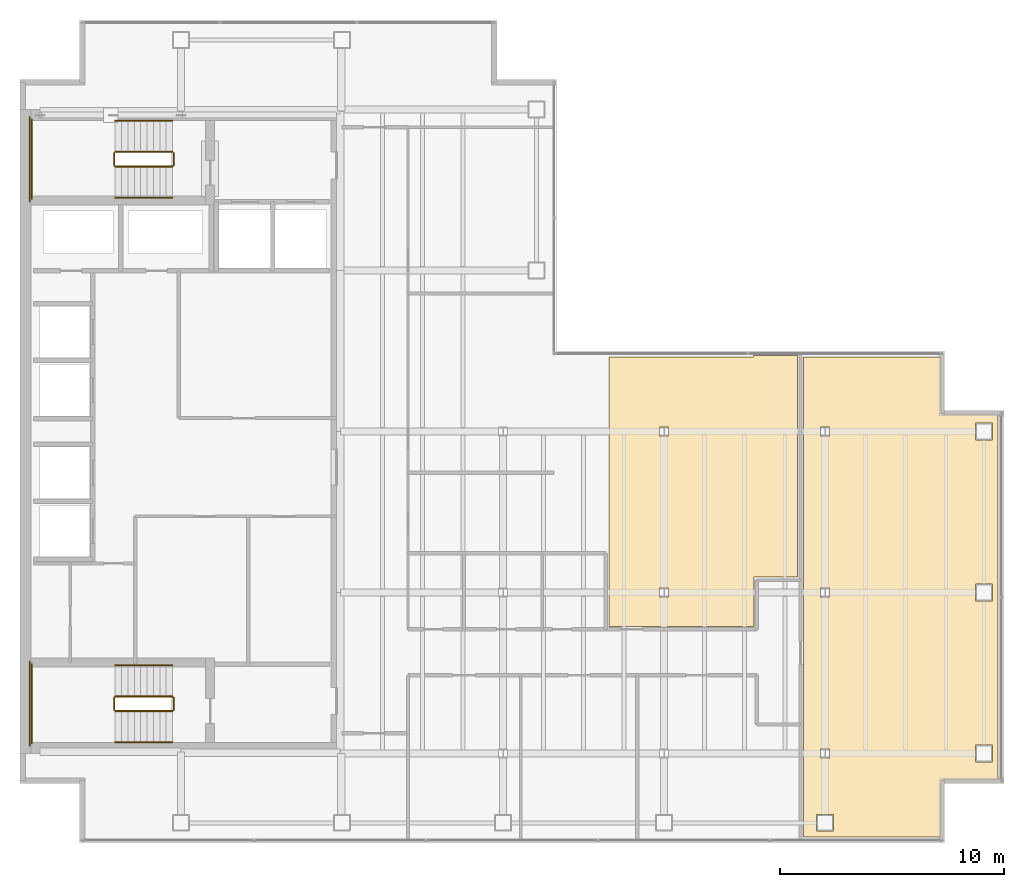
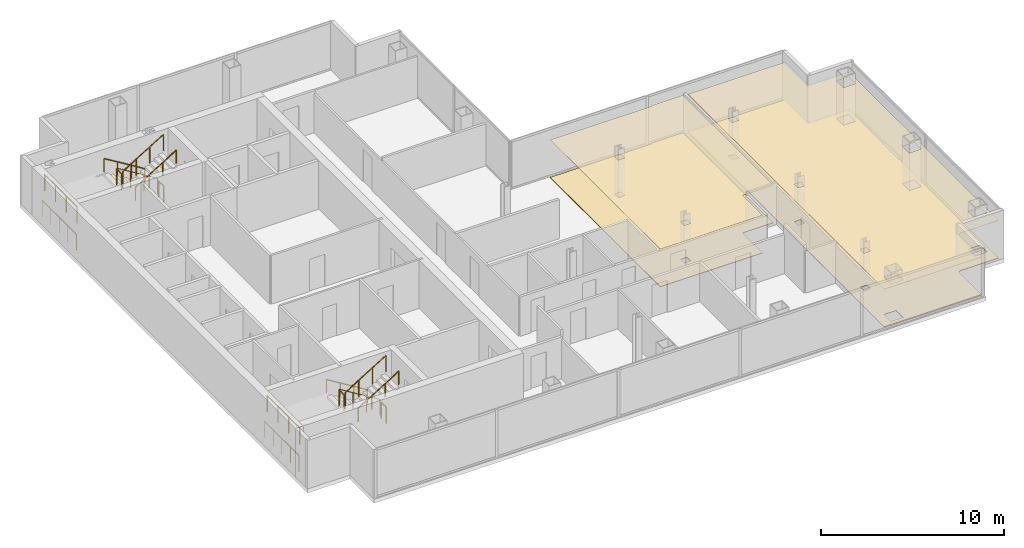
# One storey, part 23 of 23: 16 railings, 4 coverings.
"""IFC4 building model written with IfcOpenShell, lengths in metres."""

from ifc_helpers import new_model, si_unit, direction, frame, origin, origin_2d, place, context, subcontext, project, spatial, polyline, circle, outline, extrude, material, layer, layer_set, type_object, element, save


model = new_model("IFC4")

# Units and contexts
model_context = context("Model", 3, precision=1e-05, world=origin(), true_north=direction((0.0, 1.0)))
body_context = subcontext(model_context, "Body", "Model", "MODEL_VIEW")
ifc_project = project(units=[si_unit("LENGTHUNIT", "METRE"), si_unit("AREAUNIT", "SQUARE_METRE"), si_unit("VOLUMEUNIT", "CUBIC_METRE"), si_unit("PLANEANGLEUNIT", "RADIAN"), si_unit("MASSUNIT", "GRAM", prefix="KILO")], contexts=[model_context])

# Site, building, storey
site_placement = place(None, origin())
site = spatial("IfcSite", under=ifc_project, at=site_placement, CompositionType="ELEMENT")
building_placement = place(site_placement, origin())
building = spatial("IfcBuilding", under=site, at=building_placement, Name="Cobrela Telecom Tower", CompositionType="ELEMENT")
storey_placement = place(building_placement, frame((0.0, 0.0, 218.75)))
storey = spatial("IfcBuildingStorey", under=building, at=storey_placement, Name="L56", CompositionType="ELEMENT", Elevation=218.75)

# Coverings
ifc_material_1 = material(Name="Mineral Fibre Acoustic Ceiling Tile")
ifc_layer_1 = layer(ifc_material_1, 0.02490234375)
ifc_layer_set_1 = layer_set([ifc_layer_1], Name="Mineral Fibre Acoustic Ceiling Tile")
covering_type_1 = type_object("IfcCoveringType", Name="COV-CEIL-ACT", PredefinedType="CEILING", material=ifc_layer_set_1)
covering_1_placement = place(storey_placement, frame((0.0, 0.0, 2.52001953125)))
element("IfcCovering", 1, at=covering_1_placement, inside=storey, type_object=covering_type_1, Name="L56 Systems Engineering Studio 9 Suspended Acoustic Ceiling", PredefinedType="CEILING", context=body_context, shape_type="SweptSolid", body=[
    extrude(outline(polyline([(41.302734375, 6.00732421875), (41.289306640625, 6.00390625), (41.2763671875, 5.99951171875), (41.263916015625, 5.993408203125), (41.252197265625, 5.986328125), (41.2412109375, 5.978271484375), (41.23095703125, 5.968994140625), (41.2216796875, 5.958740234375), (41.213623046875, 5.947998046875), (41.20654296875, 5.93603515625), (41.20068359375, 5.923583984375), (41.196044921875, 5.91064453125), (41.192626953125, 5.897216796875), (41.190673828125, 5.8837890625), (41.18994140625, 5.87109375), (41.18994140625, 3.4599609375), (35.0400390625, 3.4599609375), (35.0400390625, 24.93994140625), (41.18994140625, 24.93994140625), (41.18994140625, 22.529052734375), (41.190673828125, 22.516357421875), (41.192626953125, 22.502685546875), (41.196044921875, 22.489501953125), (41.20068359375, 22.476318359375), (41.20654296875, 22.464111328125), (41.213623046875, 22.4521484375), (41.2216796875, 22.441162109375), (41.23095703125, 22.430908203125), (41.2412109375, 22.421630859375), (41.252197265625, 22.41357421875), (41.263916015625, 22.406494140625), (41.2763671875, 22.400634765625), (41.289306640625, 22.39599609375), (41.302734375, 22.392578125), (41.31640625, 22.390625), (41.3291015625, 22.389892578125), (43.739990234375, 22.389892578125), (43.739990234375, 6.010009765625), (41.3291015625, 6.010009765625), (41.31640625, 6.009521484375), (41.302734375, 6.00732421875)]), holes=[polyline([(36.375, 4.47509765625), (35.625, 4.47509765625), (35.625, 3.72509765625), (36.375, 3.72509765625), (36.375, 4.47509765625)]), polyline([(36.199462890625, 7.0029296875), (36.199462890625, 7.39697265625), (35.800537109375, 7.39697265625), (35.800537109375, 7.0029296875), (36.199462890625, 7.0029296875)]), polyline([(43.47509765625, 6.824951171875), (43.47509765625, 7.574951171875), (42.72509765625, 7.574951171875), (42.72509765625, 6.824951171875), (43.47509765625, 6.824951171875)]), polyline([(36.199462890625, 14.202880859375), (36.199462890625, 14.596923828125), (35.800537109375, 14.596923828125), (35.800537109375, 14.202880859375), (36.199462890625, 14.202880859375)]), polyline([(43.47509765625, 14.02490234375), (43.47509765625, 14.77490234375), (42.72509765625, 14.77490234375), (42.72509765625, 14.02490234375), (43.47509765625, 14.02490234375)]), polyline([(36.199462890625, 21.403076171875), (36.199462890625, 21.797119140625), (35.800537109375, 21.797119140625), (35.800537109375, 21.403076171875), (36.199462890625, 21.403076171875)]), polyline([(43.47509765625, 21.22509765625), (43.47509765625, 21.97509765625), (42.72509765625, 21.97509765625), (42.72509765625, 21.22509765625), (43.47509765625, 21.22509765625)])]), origin(), (0.0, 0.0, 1.0), 0.02490234375),
])
covering_2_placement = place(storey_placement, frame((0.0, 0.0, 2.52001953125)))
element("IfcCovering", 2, at=covering_2_placement, inside=storey, type_object=covering_type_1, Name="L56 Security Control Room 4 Suspended Acoustic Ceiling", PredefinedType="CEILING", context=body_context, shape_type="SweptSolid", body=[
    extrude(outline(polyline([(34.760009765625, 15.090087890625), (32.81005859375, 15.090087890625), (32.81005859375, 12.889892578125), (26.340087890625, 12.889892578125), (26.340087890625, 24.93994140625), (32.7900390625, 24.93994140625), (32.7900390625, 25.0), (34.760009765625, 25.0), (34.760009765625, 15.090087890625)]), holes=[polyline([(28.99951171875, 14.596923828125), (28.6005859375, 14.596923828125), (28.6005859375, 14.202880859375), (28.99951171875, 14.202880859375), (28.99951171875, 14.596923828125)]), polyline([(28.99951171875, 21.797119140625), (28.6005859375, 21.797119140625), (28.6005859375, 21.403076171875), (28.99951171875, 21.403076171875), (28.99951171875, 21.797119140625)])]), origin(), (0.0, 0.0, 1.0), 0.02490234375),
])
ifc_material_2 = material(Name="Honed Colombian Basalt Stone", Category="masonry")
ifc_layer_2 = layer(ifc_material_2, 0.0400390625)
ifc_layer_set_2 = layer_set([ifc_layer_2], Name="Honed Colombian Basalt Stone")
covering_type_2 = type_object("IfcCoveringType", Name="COV-FLR-STONE", PredefinedType="FLOORING", material=ifc_layer_set_2)
covering_3_placement = place(storey_placement, origin())
element("IfcCovering", 3, at=covering_3_placement, inside=storey, type_object=covering_type_2, Name="L56 Systems Engineering Studio 9 Raised Technical Flooring", PredefinedType="FLOORING", context=body_context, shape_type="SweptSolid", body=[
    extrude(outline(polyline([(41.302734375, 6.00732421875), (41.289306640625, 6.00390625), (41.2763671875, 5.99951171875), (41.263916015625, 5.993408203125), (41.252197265625, 5.986328125), (41.2412109375, 5.978271484375), (41.23095703125, 5.968994140625), (41.2216796875, 5.958740234375), (41.213623046875, 5.947998046875), (41.20654296875, 5.93603515625), (41.20068359375, 5.923583984375), (41.196044921875, 5.91064453125), (41.192626953125, 5.897216796875), (41.190673828125, 5.8837890625), (41.18994140625, 5.87109375), (41.18994140625, 3.4599609375), (35.0400390625, 3.4599609375), (35.0400390625, 24.93994140625), (41.18994140625, 24.93994140625), (41.18994140625, 22.529052734375), (41.190673828125, 22.516357421875), (41.192626953125, 22.502685546875), (41.196044921875, 22.489501953125), (41.20068359375, 22.476318359375), (41.20654296875, 22.464111328125), (41.213623046875, 22.4521484375), (41.2216796875, 22.441162109375), (41.23095703125, 22.430908203125), (41.2412109375, 22.421630859375), (41.252197265625, 22.41357421875), (41.263916015625, 22.406494140625), (41.2763671875, 22.400634765625), (41.289306640625, 22.39599609375), (41.302734375, 22.392578125), (41.31640625, 22.390625), (41.3291015625, 22.389892578125), (43.739990234375, 22.389892578125), (43.739990234375, 6.010009765625), (41.3291015625, 6.010009765625), (41.31640625, 6.009521484375), (41.302734375, 6.00732421875)]), holes=[polyline([(36.375, 4.47509765625), (35.625, 4.47509765625), (35.625, 3.72509765625), (36.375, 3.72509765625), (36.375, 4.47509765625)]), polyline([(36.199462890625, 7.0029296875), (36.199462890625, 7.39697265625), (35.800537109375, 7.39697265625), (35.800537109375, 7.0029296875), (36.199462890625, 7.0029296875)]), polyline([(43.47509765625, 6.824951171875), (43.47509765625, 7.574951171875), (42.72509765625, 7.574951171875), (42.72509765625, 6.824951171875), (43.47509765625, 6.824951171875)]), polyline([(36.199462890625, 14.202880859375), (36.199462890625, 14.596923828125), (35.800537109375, 14.596923828125), (35.800537109375, 14.202880859375), (36.199462890625, 14.202880859375)]), polyline([(43.47509765625, 14.02490234375), (43.47509765625, 14.77490234375), (42.72509765625, 14.77490234375), (42.72509765625, 14.02490234375), (43.47509765625, 14.02490234375)]), polyline([(36.199462890625, 21.403076171875), (36.199462890625, 21.797119140625), (35.800537109375, 21.797119140625), (35.800537109375, 21.403076171875), (36.199462890625, 21.403076171875)]), polyline([(43.47509765625, 21.22509765625), (43.47509765625, 21.97509765625), (42.72509765625, 21.97509765625), (42.72509765625, 21.22509765625), (43.47509765625, 21.22509765625)])]), origin(), (0.0, 0.0, 1.0), 0.0400390625),
])
covering_4_placement = place(storey_placement, origin())
element("IfcCovering", 4, at=covering_4_placement, inside=storey, type_object=covering_type_2, Name="L56 Security Control Room 4 Raised Technical Flooring", PredefinedType="FLOORING", context=body_context, shape_type="SweptSolid", body=[
    extrude(outline(polyline([(34.760009765625, 15.090087890625), (32.81005859375, 15.090087890625), (32.81005859375, 12.889892578125), (26.340087890625, 12.889892578125), (26.340087890625, 24.93994140625), (32.7900390625, 24.93994140625), (32.7900390625, 25.0), (34.760009765625, 25.0), (34.760009765625, 15.090087890625)]), holes=[polyline([(28.99951171875, 14.596923828125), (28.6005859375, 14.596923828125), (28.6005859375, 14.202880859375), (28.99951171875, 14.202880859375), (28.99951171875, 14.596923828125)]), polyline([(28.99951171875, 21.797119140625), (28.6005859375, 21.797119140625), (28.6005859375, 21.403076171875), (28.99951171875, 21.403076171875), (28.99951171875, 21.797119140625)])]), origin(), (0.0, 0.0, 1.0), 0.0400390625),
])

# Railings
ifc_material_3 = material(Name="Steel ASTM A36", Category="steel")
railing_type_1 = type_object("IfcRailingType", Name="RAIL-GUARD-1100", PredefinedType="GUARDRAIL", material=ifc_material_3)
railing_1_placement = place(storey_placement, frame((6.820068359375, 34.10009765625, 0.175048828125)))
element("IfcRailing", 5, at=railing_1_placement, inside=storey, type_object=railing_type_1, Name="L56 ST1 stair guard 1", PredefinedType="GUARDRAIL", context=body_context, shape_type="SweptSolid", body=[
    extrude(circle(Radius=0.02392578125, at=origin_2d()), frame((0.0, 0.0, 1.076171875), z_axis=(-0.852195335862, 0.0, 0.523223766217), x_axis=(0.0, -1.0, 0.0)), (0.0, 0.0, 1.0), 3.010009765625),
    extrude(circle(Radius=0.02099609375, at=origin_2d()), origin(), (0.0, 0.0, 1.0), 1.052001953125),
    extrude(circle(Radius=0.02099609375, at=origin_2d()), frame((-0.85498046875, 0.0, 0.52490234375)), (0.0, 0.0, 1.0), 1.052001953125),
    extrude(circle(Radius=0.02099609375, at=origin_2d()), frame((-1.710205078125, 0.0, 1.050048828125)), (0.0, 0.0, 1.0), 1.052001953125),
    extrude(circle(Radius=0.02099609375, at=origin_2d()), frame((-2.565185546875, 0.0, 1.574951171875)), (0.0, 0.0, 1.0), 1.052001953125),
])
railing_2_placement = place(storey_placement, frame((4.205078125, 34.050048828125, 1.75)))
element("IfcRailing", 6, at=railing_2_placement, inside=storey, type_object=railing_type_1, Name="L56 ST1 stair guard 2", PredefinedType="GUARDRAIL", context=body_context, shape_type="SweptSolid", body=[
    extrude(circle(Radius=0.02392578125, at=origin_2d()), frame((0.0, 0.0, 1.076171875), z_axis=(0.0, -1.0, 0.0), x_axis=(1.0, 0.0, 0.0)), (0.0, 0.0, 1.0), 0.550048828125),
    extrude(circle(Radius=0.02099609375, at=origin_2d()), origin(), (0.0, 0.0, 1.0), 1.052001953125),
    extrude(circle(Radius=0.02099609375, at=origin_2d()), frame((0.0, -0.550048828125, 0.0)), (0.0, 0.0, 1.0), 1.052001953125),
])
railing_3_placement = place(storey_placement, frame((0.530029296875, 35.550048828125, 1.75)))
element("IfcRailing", 7, at=railing_3_placement, inside=storey, type_object=railing_type_1, Name="L56 ST1 stair guard 3", PredefinedType="GUARDRAIL", context=body_context, shape_type="SweptSolid", body=[
    extrude(circle(Radius=0.02392578125, at=origin_2d()), frame((0.0, 0.0, 1.076171875), z_axis=(0.0, -1.0, 0.0), x_axis=(1.0, 0.0, 0.0)), (0.0, 0.0, 1.0), 3.550048828125),
    extrude(circle(Radius=0.02099609375, at=origin_2d()), origin(), (0.0, 0.0, 1.0), 1.052001953125),
    extrude(circle(Radius=0.02099609375, at=origin_2d()), frame((0.0, -1.183349609375, 0.0)), (0.0, 0.0, 1.0), 1.052001953125),
    extrude(circle(Radius=0.02099609375, at=origin_2d()), frame((0.0, -2.36669921875, 0.0)), (0.0, 0.0, 1.0), 1.052001953125),
    extrude(circle(Radius=0.02099609375, at=origin_2d()), frame((0.0, -3.550048828125, 0.0)), (0.0, 0.0, 1.0), 1.052001953125),
])
railing_4_placement = place(storey_placement, frame((4.2548828125, 33.449951171875, 1.925048828125)))
element("IfcRailing", 8, at=railing_4_placement, inside=storey, type_object=railing_type_1, Name="L56 ST1 stair guard 4", PredefinedType="GUARDRAIL", context=body_context, shape_type="SweptSolid", body=[
    extrude(circle(Radius=0.02392578125, at=origin_2d()), frame((0.0, 0.0, 1.076171875), z_axis=(0.852195335862, 0.0, 0.523223766217), x_axis=(0.0, 1.0, 0.0)), (0.0, 0.0, 1.0), 3.010009765625),
    extrude(circle(Radius=0.02099609375, at=origin_2d()), origin(), (0.0, 0.0, 1.0), 1.052001953125),
    extrude(circle(Radius=0.02099609375, at=origin_2d()), frame((0.85498046875, 0.0, 0.52490234375)), (0.0, 0.0, 1.0), 1.052001953125),
    extrude(circle(Radius=0.02099609375, at=origin_2d()), frame((1.710205078125, 0.0, 1.050048828125)), (0.0, 0.0, 1.0), 1.052001953125),
    extrude(circle(Radius=0.02099609375, at=origin_2d()), frame((2.565185546875, 0.0, 1.574951171875)), (0.0, 0.0, 1.0), 1.052001953125),
])
railing_5_placement = place(storey_placement, frame((6.8701171875, 34.050048828125, 0.0)))
element("IfcRailing", 9, at=railing_5_placement, inside=storey, type_object=railing_type_1, Name="L56 ST1 stair guard 5", PredefinedType="GUARDRAIL", context=body_context, shape_type="SweptSolid", body=[
    extrude(circle(Radius=0.02392578125, at=origin_2d()), frame((0.0, 0.0, 1.076171875), z_axis=(0.0, -1.0, 0.0), x_axis=(1.0, 0.0, 0.0)), (0.0, 0.0, 1.0), 0.550048828125),
    extrude(circle(Radius=0.02099609375, at=origin_2d()), origin(), (0.0, 0.0, 1.0), 1.052001953125),
    extrude(circle(Radius=0.02099609375, at=origin_2d()), frame((0.0, -0.550048828125, 0.0)), (0.0, 0.0, 1.0), 1.052001953125),
])
railing_6_placement = place(storey_placement, frame((0.429931640625, 35.64990234375, 0.0)))
element("IfcRailing", 10, at=railing_6_placement, inside=storey, type_object=railing_type_1, Name="L56 ST1 stair guard 6", PredefinedType="GUARDRAIL", context=body_context, shape_type="SweptSolid", body=[
    extrude(circle(Radius=0.02392578125, at=origin_2d()), frame((0.0, 0.0, 1.076171875), z_axis=(0.0, -1.0, 0.0), x_axis=(1.0, 0.0, 0.0)), (0.0, 0.0, 1.0), 3.75),
    extrude(circle(Radius=0.02099609375, at=origin_2d()), origin(), (0.0, 0.0, 1.0), 1.052001953125),
    extrude(circle(Radius=0.02099609375, at=origin_2d()), frame((0.0, -0.9375, 0.0)), (0.0, 0.0, 1.0), 1.052001953125),
    extrude(circle(Radius=0.02099609375, at=origin_2d()), frame((0.0, -1.875, 0.0)), (0.0, 0.0, 1.0), 1.052001953125),
    extrude(circle(Radius=0.02099609375, at=origin_2d()), frame((0.0, -2.8125, 0.0)), (0.0, 0.0, 1.0), 1.052001953125),
    extrude(circle(Radius=0.02099609375, at=origin_2d()), frame((0.0, -3.75, 0.0)), (0.0, 0.0, 1.0), 1.052001953125),
])
railing_7_placement = place(storey_placement, frame((6.820068359375, 9.75, 0.175048828125)))
element("IfcRailing", 11, at=railing_7_placement, inside=storey, type_object=railing_type_1, Name="L56 ST2 stair guard 1", PredefinedType="GUARDRAIL", context=body_context, shape_type="SweptSolid", body=[
    extrude(circle(Radius=0.02392578125, at=origin_2d()), frame((0.0, 0.0, 1.076171875), z_axis=(-0.852195335862, 0.0, 0.523223766217), x_axis=(0.0, -1.0, 0.0)), (0.0, 0.0, 1.0), 3.010009765625),
    extrude(circle(Radius=0.02099609375, at=origin_2d()), origin(), (0.0, 0.0, 1.0), 1.052001953125),
    extrude(circle(Radius=0.02099609375, at=origin_2d()), frame((-0.85498046875, 0.0, 0.52490234375)), (0.0, 0.0, 1.0), 1.052001953125),
    extrude(circle(Radius=0.02099609375, at=origin_2d()), frame((-1.710205078125, 0.0, 1.050048828125)), (0.0, 0.0, 1.0), 1.052001953125),
    extrude(circle(Radius=0.02099609375, at=origin_2d()), frame((-2.565185546875, 0.0, 1.574951171875)), (0.0, 0.0, 1.0), 1.052001953125),
])
railing_8_placement = place(storey_placement, frame((4.205078125, 9.699951171875, 1.75)))
element("IfcRailing", 12, at=railing_8_placement, inside=storey, type_object=railing_type_1, Name="L56 ST2 stair guard 2", PredefinedType="GUARDRAIL", context=body_context, shape_type="SweptSolid", body=[
    extrude(circle(Radius=0.02392578125, at=origin_2d()), frame((0.0, 0.0, 1.076171875), z_axis=(0.0, -1.0, 0.0), x_axis=(1.0, 0.0, 0.0)), (0.0, 0.0, 1.0), 0.550048828125),
    extrude(circle(Radius=0.02099609375, at=origin_2d()), origin(), (0.0, 0.0, 1.0), 1.052001953125),
    extrude(circle(Radius=0.02099609375, at=origin_2d()), frame((0.0, -0.550048828125, 0.0)), (0.0, 0.0, 1.0), 1.052001953125),
])
railing_9_placement = place(storey_placement, frame((0.530029296875, 11.199951171875, 1.75)))
element("IfcRailing", 13, at=railing_9_placement, inside=storey, type_object=railing_type_1, Name="L56 ST2 stair guard 3", PredefinedType="GUARDRAIL", context=body_context, shape_type="SweptSolid", body=[
    extrude(circle(Radius=0.02392578125, at=origin_2d()), frame((0.0, 0.0, 1.076171875), z_axis=(0.0, -1.0, 0.0), x_axis=(1.0, 0.0, 0.0)), (0.0, 0.0, 1.0), 3.550048828125),
    extrude(circle(Radius=0.02099609375, at=origin_2d()), origin(), (0.0, 0.0, 1.0), 1.052001953125),
    extrude(circle(Radius=0.02099609375, at=origin_2d()), frame((0.0, -1.183349609375, 0.0)), (0.0, 0.0, 1.0), 1.052001953125),
    extrude(circle(Radius=0.02099609375, at=origin_2d()), frame((0.0, -2.36669921875, 0.0)), (0.0, 0.0, 1.0), 1.052001953125),
    extrude(circle(Radius=0.02099609375, at=origin_2d()), frame((0.0, -3.550048828125, 0.0)), (0.0, 0.0, 1.0), 1.052001953125),
])
railing_10_placement = place(storey_placement, frame((4.2548828125, 9.10009765625, 1.925048828125)))
element("IfcRailing", 14, at=railing_10_placement, inside=storey, type_object=railing_type_1, Name="L56 ST2 stair guard 4", PredefinedType="GUARDRAIL", context=body_context, shape_type="SweptSolid", body=[
    extrude(circle(Radius=0.02392578125, at=origin_2d()), frame((0.0, 0.0, 1.076171875), z_axis=(0.852195335862, 0.0, 0.523223766217), x_axis=(0.0, 1.0, 0.0)), (0.0, 0.0, 1.0), 3.010009765625),
    extrude(circle(Radius=0.02099609375, at=origin_2d()), origin(), (0.0, 0.0, 1.0), 1.052001953125),
    extrude(circle(Radius=0.02099609375, at=origin_2d()), frame((0.85498046875, 0.0, 0.52490234375)), (0.0, 0.0, 1.0), 1.052001953125),
    extrude(circle(Radius=0.02099609375, at=origin_2d()), frame((1.710205078125, 0.0, 1.050048828125)), (0.0, 0.0, 1.0), 1.052001953125),
    extrude(circle(Radius=0.02099609375, at=origin_2d()), frame((2.565185546875, 0.0, 1.574951171875)), (0.0, 0.0, 1.0), 1.052001953125),
])
railing_11_placement = place(storey_placement, frame((6.8701171875, 9.699951171875, 0.0)))
element("IfcRailing", 15, at=railing_11_placement, inside=storey, type_object=railing_type_1, Name="L56 ST2 stair guard 5", PredefinedType="GUARDRAIL", context=body_context, shape_type="SweptSolid", body=[
    extrude(circle(Radius=0.02392578125, at=origin_2d()), frame((0.0, 0.0, 1.076171875), z_axis=(0.0, -1.0, 0.0), x_axis=(1.0, 0.0, 0.0)), (0.0, 0.0, 1.0), 0.550048828125),
    extrude(circle(Radius=0.02099609375, at=origin_2d()), origin(), (0.0, 0.0, 1.0), 1.052001953125),
    extrude(circle(Radius=0.02099609375, at=origin_2d()), frame((0.0, -0.550048828125, 0.0)), (0.0, 0.0, 1.0), 1.052001953125),
])
railing_12_placement = place(storey_placement, frame((0.429931640625, 11.300048828125, 0.0)))
element("IfcRailing", 16, at=railing_12_placement, inside=storey, type_object=railing_type_1, Name="L56 ST2 stair guard 6", PredefinedType="GUARDRAIL", context=body_context, shape_type="SweptSolid", body=[
    extrude(circle(Radius=0.02392578125, at=origin_2d()), frame((0.0, 0.0, 1.076171875), z_axis=(0.0, -1.0, 0.0), x_axis=(1.0, 0.0, 0.0)), (0.0, 0.0, 1.0), 3.75),
    extrude(circle(Radius=0.02099609375, at=origin_2d()), origin(), (0.0, 0.0, 1.0), 1.052001953125),
    extrude(circle(Radius=0.02099609375, at=origin_2d()), frame((0.0, -0.9375, 0.0)), (0.0, 0.0, 1.0), 1.052001953125),
    extrude(circle(Radius=0.02099609375, at=origin_2d()), frame((0.0, -1.875, 0.0)), (0.0, 0.0, 1.0), 1.052001953125),
    extrude(circle(Radius=0.02099609375, at=origin_2d()), frame((0.0, -2.8125, 0.0)), (0.0, 0.0, 1.0), 1.052001953125),
    extrude(circle(Radius=0.02099609375, at=origin_2d()), frame((0.0, -3.75, 0.0)), (0.0, 0.0, 1.0), 1.052001953125),
])
railing_type_2 = type_object("IfcRailingType", Name="RAIL-HAND-920", PredefinedType="HANDRAIL", material=ifc_material_3)
railing_13_placement = place(storey_placement, frame((6.820068359375, 35.5, 0.175048828125)))
element("IfcRailing", 17, at=railing_13_placement, inside=storey, type_object=railing_type_2, Name="L56 ST1 stair handrail 1", PredefinedType="HANDRAIL", context=body_context, shape_type="SweptSolid", body=[
    extrude(circle(Radius=0.02392578125, at=origin_2d()), frame((0.0, 0.0, 0.8759765625), z_axis=(-0.852195335862, 0.0, 0.523223766217), x_axis=(0.0, -1.0, 0.0)), (0.0, 0.0, 1.0), 3.010009765625),
    extrude(circle(Radius=0.02099609375, at=origin_2d()), origin(), (0.0, 0.0, 1.0), 0.851806640625),
    extrude(circle(Radius=0.02099609375, at=origin_2d()), frame((-0.85498046875, 0.0, 0.52490234375)), (0.0, 0.0, 1.0), 0.851806640625),
    extrude(circle(Radius=0.02099609375, at=origin_2d()), frame((-1.710205078125, 0.0, 1.050048828125)), (0.0, 0.0, 1.0), 0.851806640625),
    extrude(circle(Radius=0.02099609375, at=origin_2d()), frame((-2.565185546875, 0.0, 1.574951171875)), (0.0, 0.0, 1.0), 0.851806640625),
])
railing_14_placement = place(storey_placement, frame((4.2548828125, 32.050048828125, 1.925048828125)))
element("IfcRailing", 18, at=railing_14_placement, inside=storey, type_object=railing_type_2, Name="L56 ST1 stair handrail 2", PredefinedType="HANDRAIL", context=body_context, shape_type="SweptSolid", body=[
    extrude(circle(Radius=0.02392578125, at=origin_2d()), frame((0.0, 0.0, 0.8759765625), z_axis=(0.852195335862, 0.0, 0.523223766217), x_axis=(0.0, 1.0, 0.0)), (0.0, 0.0, 1.0), 3.010009765625),
    extrude(circle(Radius=0.02099609375, at=origin_2d()), origin(), (0.0, 0.0, 1.0), 0.851806640625),
    extrude(circle(Radius=0.02099609375, at=origin_2d()), frame((0.85498046875, 0.0, 0.52490234375)), (0.0, 0.0, 1.0), 0.851806640625),
    extrude(circle(Radius=0.02099609375, at=origin_2d()), frame((1.710205078125, 0.0, 1.050048828125)), (0.0, 0.0, 1.0), 0.851806640625),
    extrude(circle(Radius=0.02099609375, at=origin_2d()), frame((2.565185546875, 0.0, 1.574951171875)), (0.0, 0.0, 1.0), 0.851806640625),
])
railing_15_placement = place(storey_placement, frame((6.820068359375, 11.14990234375, 0.175048828125)))
element("IfcRailing", 19, at=railing_15_placement, inside=storey, type_object=railing_type_2, Name="L56 ST2 stair handrail 1", PredefinedType="HANDRAIL", context=body_context, shape_type="SweptSolid", body=[
    extrude(circle(Radius=0.02392578125, at=origin_2d()), frame((0.0, 0.0, 0.8759765625), z_axis=(-0.852195335862, 0.0, 0.523223766217), x_axis=(0.0, -1.0, 0.0)), (0.0, 0.0, 1.0), 3.010009765625),
    extrude(circle(Radius=0.02099609375, at=origin_2d()), origin(), (0.0, 0.0, 1.0), 0.851806640625),
    extrude(circle(Radius=0.02099609375, at=origin_2d()), frame((-0.85498046875, 0.0, 0.52490234375)), (0.0, 0.0, 1.0), 0.851806640625),
    extrude(circle(Radius=0.02099609375, at=origin_2d()), frame((-1.710205078125, 0.0, 1.050048828125)), (0.0, 0.0, 1.0), 0.851806640625),
    extrude(circle(Radius=0.02099609375, at=origin_2d()), frame((-2.565185546875, 0.0, 1.574951171875)), (0.0, 0.0, 1.0), 0.851806640625),
])
railing_16_placement = place(storey_placement, frame((4.2548828125, 7.699951171875, 1.925048828125)))
element("IfcRailing", 20, at=railing_16_placement, inside=storey, type_object=railing_type_2, Name="L56 ST2 stair handrail 2", PredefinedType="HANDRAIL", context=body_context, shape_type="SweptSolid", body=[
    extrude(circle(Radius=0.02392578125, at=origin_2d()), frame((0.0, 0.0, 0.8759765625), z_axis=(0.852195335862, 0.0, 0.523223766217), x_axis=(0.0, 1.0, 0.0)), (0.0, 0.0, 1.0), 3.010009765625),
    extrude(circle(Radius=0.02099609375, at=origin_2d()), origin(), (0.0, 0.0, 1.0), 0.851806640625),
    extrude(circle(Radius=0.02099609375, at=origin_2d()), frame((0.85498046875, 0.0, 0.52490234375)), (0.0, 0.0, 1.0), 0.851806640625),
    extrude(circle(Radius=0.02099609375, at=origin_2d()), frame((1.710205078125, 0.0, 1.050048828125)), (0.0, 0.0, 1.0), 0.851806640625),
    extrude(circle(Radius=0.02099609375, at=origin_2d()), frame((2.565185546875, 0.0, 1.574951171875)), (0.0, 0.0, 1.0), 0.851806640625),
])

save(model, "model.ifc")
